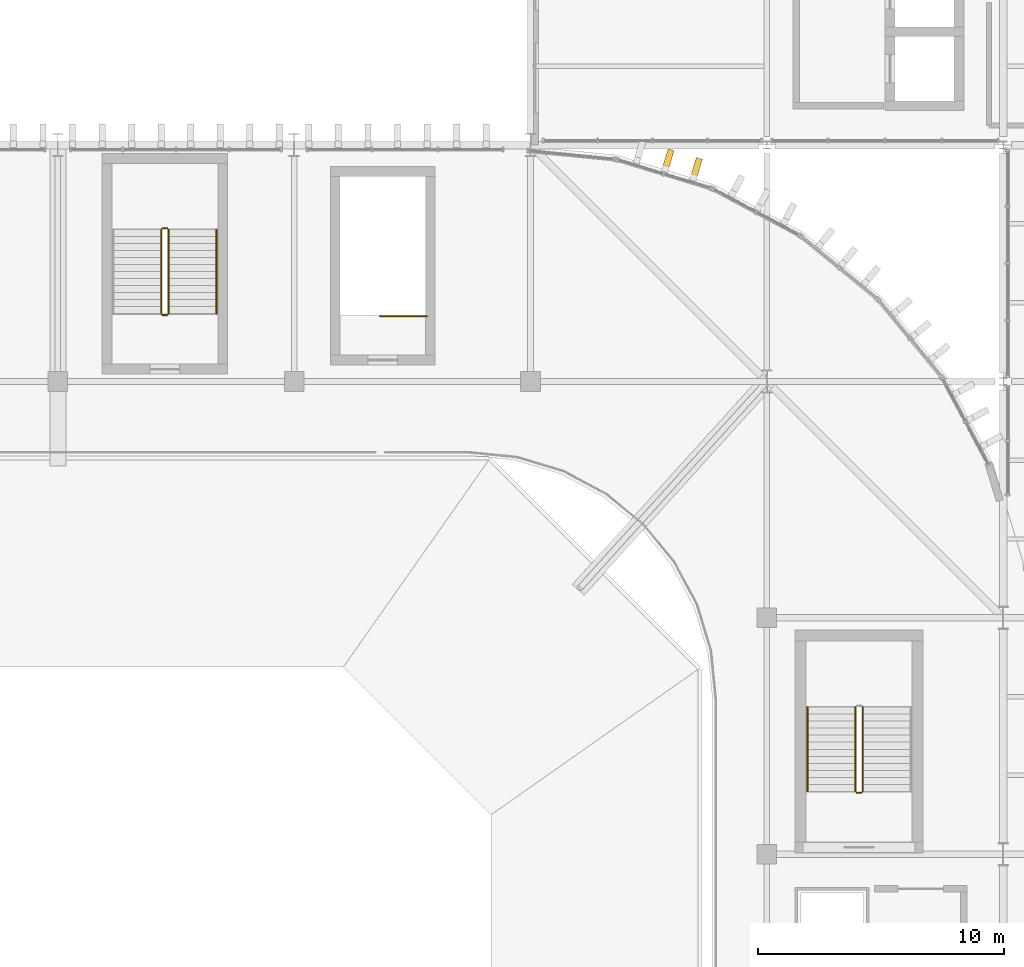
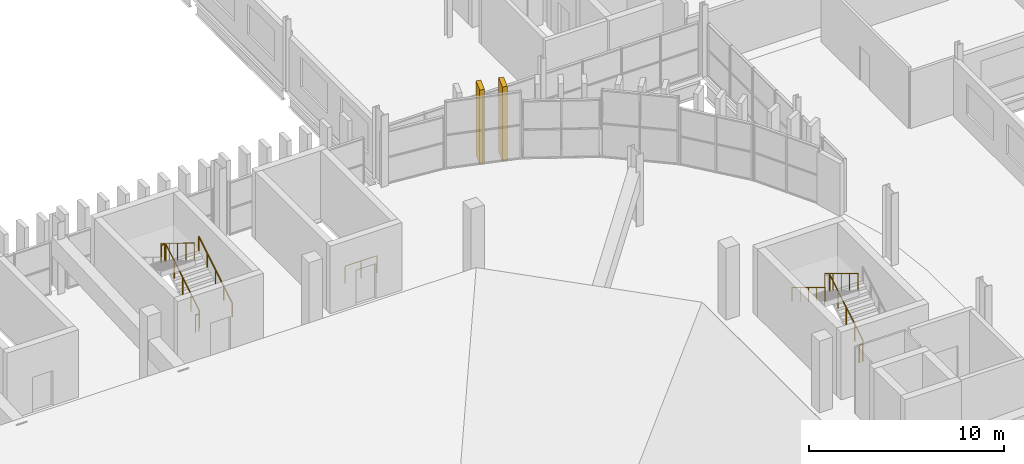
# One storey, part 66 of 69: 10 railings, 2 coverings.
"""IFC4 building model written with IfcOpenShell, lengths in metres."""

from ifc_helpers import new_model, si_unit, direction, frame, origin, origin_2d, place, context, subcontext, project, spatial, rectangle, circle, extrude, material, material_profile, profile_set, type_object, element, save


model = new_model("IFC4")

# Units and contexts
model_context = context("Model", 3, precision=1e-05, world=origin(), true_north=direction((0.0, 1.0)))
body_context = subcontext(model_context, "Body", "Model", "MODEL_VIEW")
ifc_project = project(units=[si_unit("LENGTHUNIT", "METRE"), si_unit("AREAUNIT", "SQUARE_METRE"), si_unit("VOLUMEUNIT", "CUBIC_METRE"), si_unit("PLANEANGLEUNIT", "RADIAN"), si_unit("MASSUNIT", "GRAM", prefix="KILO")], contexts=[model_context])

# Site, building, storey
site_placement = place(None, origin())
site = spatial("IfcSite", under=ifc_project, at=site_placement, CompositionType="ELEMENT")
building_placement = place(site_placement, origin())
building = spatial("IfcBuilding", under=site, at=building_placement, Name="Caelomonte Colonnade Arena", CompositionType="ELEMENT")
storey_placement = place(building_placement, frame((0.0, 0.0, 18.60009765625)))
storey = spatial("IfcBuildingStorey", under=building, at=storey_placement, Name="L04", CompositionType="ELEMENT", Elevation=18.60009765625)

# Coverings
ifc_material_1 = material(Name="Precast travertine cladding", Category="masonry")
ifc_material_profile = material_profile(ifc_material_1, rectangle(XDim=0.260009765625, YDim=0.85009765625, at=origin_2d()), Name="FIN260X850")
ifc_profile_set = profile_set([ifc_material_profile], Name="Precast travertine cladding")
covering_type = type_object("IfcCoveringType", Name="ENV-FN-SHAFT", PredefinedType="CLADDING", material=ifc_profile_set)
for number, where, z_axis, x_axis, name in (
    (1, (150.7373046875, 114.25341796875, -0.16015625), (0.0, 0.0, 1.0), (0.956942868907, -0.290276326364, 0.0), "V1 L04 classical travertine vertical fin 87"),
    (2, (149.5888671875, 114.601806640625, -0.16015625), (0.0, 0.0, 1.0), (0.956942868907, -0.290276326364, 0.0), "V1 L04 classical travertine vertical fin 88"),
):
    element("IfcCovering", number, at=place(storey_placement, frame(where, z_axis=z_axis, x_axis=x_axis)), inside=storey, type_object=covering_type, Name=name, PredefinedType="CLADDING", context=body_context, shape_type="SweptSolid", body=[
        extrude(rectangle(XDim=0.260009765625, YDim=0.85009765625, at=origin_2d()), origin(), (0.0, 0.0, 1.0), 4.66015625),
    ])

# Railings
ifc_material_2 = material(Name="Painted galvanized steel stair guard", Category="steel")
railing_type_1 = type_object("IfcRailingType", Name="INT-RL-GRD", PredefinedType="GUARDRAIL", material=ifc_material_2)
railing_1_placement = place(storey_placement, frame((157.5, 88.949951171875, 0.173095703125)))
element("IfcRailing", 3, at=railing_1_placement, inside=storey, type_object=railing_type_1, Name="L04 ST-03 stair guard 1", PredefinedType="GUARDRAIL", context=body_context, shape_type="SweptSolid", body=[
    extrude(circle(Radius=0.02392578125, at=origin_2d()), frame((0.0, 0.0, 1.076171875), z_axis=(0.0, 0.854745945586, 0.519046595696), x_axis=(-1.0, 0.0, 0.0)), (0.0, 0.0, 1.0), 4.00146484375),
    extrude(circle(Radius=0.02099609375, at=origin_2d()), origin(), (0.0, 0.0, 1.0), 1.048095703125),
    extrude(circle(Radius=0.02099609375, at=origin_2d()), frame((0.0, 0.85498046875, 0.519287109375)), (0.0, 0.0, 1.0), 1.048095703125),
    extrude(circle(Radius=0.02099609375, at=origin_2d()), frame((0.0, 1.7099609375, 1.03857421875)), (0.0, 0.0, 1.0), 1.048095703125),
    extrude(circle(Radius=0.02099609375, at=origin_2d()), frame((0.0, 2.565185546875, 1.5576171875)), (0.0, 0.0, 1.0), 1.048095703125),
    extrude(circle(Radius=0.02099609375, at=origin_2d()), frame((0.0, 3.420166015625, 2.076904296875)), (0.0, 0.0, 1.0), 1.048095703125),
])
railing_2_placement = place(storey_placement, frame((157.199951171875, 92.3701171875, 2.423095703125)))
element("IfcRailing", 4, at=railing_2_placement, inside=storey, type_object=railing_type_1, Name="L04 ST-03 stair guard 3", PredefinedType="GUARDRAIL", context=body_context, shape_type="SweptSolid", body=[
    extrude(circle(Radius=0.02392578125, at=origin_2d()), frame((0.0, 0.0, 1.076171875), z_axis=(0.0, -0.854745945586, 0.519046595696), x_axis=(1.0, 0.0, 0.0)), (0.0, 0.0, 1.0), 4.00146484375),
    extrude(circle(Radius=0.02099609375, at=origin_2d()), origin(), (0.0, 0.0, 1.0), 1.048095703125),
    extrude(circle(Radius=0.02099609375, at=origin_2d()), frame((0.0, -0.85498046875, 0.519287109375)), (0.0, 0.0, 1.0), 1.048095703125),
    extrude(circle(Radius=0.02099609375, at=origin_2d()), frame((0.0, -1.7099609375, 1.03857421875)), (0.0, 0.0, 1.0), 1.048095703125),
    extrude(circle(Radius=0.02099609375, at=origin_2d()), frame((0.0, -2.565185546875, 1.5576171875)), (0.0, 0.0, 1.0), 1.048095703125),
    extrude(circle(Radius=0.02099609375, at=origin_2d()), frame((0.0, -3.420166015625, 2.076904296875)), (0.0, 0.0, 1.0), 1.048095703125),
])
railing_3_placement = place(storey_placement, frame((157.449951171875, 88.89990234375, 0.0)))
element("IfcRailing", 5, at=railing_3_placement, inside=storey, type_object=railing_type_1, Name="L04 ST-03 stair guard 4", PredefinedType="GUARDRAIL", context=body_context, shape_type="SweptSolid", body=[
    extrude(circle(Radius=0.02392578125, at=origin_2d()), frame((0.0, 0.0, 1.076171875), z_axis=(-1.0, 0.0, 0.0), x_axis=(0.0, -1.0, 0.0)), (0.0, 0.0, 1.0), 0.199951171875),
    extrude(circle(Radius=0.02099609375, at=origin_2d()), origin(), (0.0, 0.0, 1.0), 1.048095703125),
    extrude(circle(Radius=0.02099609375, at=origin_2d()), frame((-0.199951171875, 0.0, 0.0)), (0.0, 0.0, 1.0), 1.048095703125),
])
railing_4_placement = place(storey_placement, frame((129.300048828125, 108.35009765625, 0.173095703125)))
element("IfcRailing", 6, at=railing_4_placement, inside=storey, type_object=railing_type_1, Name="L04 ST-16 stair guard 1", PredefinedType="GUARDRAIL", context=body_context, shape_type="SweptSolid", body=[
    extrude(circle(Radius=0.02392578125, at=origin_2d()), frame((0.0, 0.0, 1.076171875), z_axis=(0.0, 0.854729506542, 0.519073665916), x_axis=(-1.0, 0.0, 0.0)), (0.0, 0.0, 1.0), 4.001220703125),
    extrude(circle(Radius=0.02099609375, at=origin_2d()), origin(), (0.0, 0.0, 1.0), 1.048095703125),
    extrude(circle(Radius=0.02099609375, at=origin_2d()), frame((0.0, 0.85498046875, 0.519287109375)), (0.0, 0.0, 1.0), 1.048095703125),
    extrude(circle(Radius=0.02099609375, at=origin_2d()), frame((0.0, 1.7099609375, 1.03857421875)), (0.0, 0.0, 1.0), 1.048095703125),
    extrude(circle(Radius=0.02099609375, at=origin_2d()), frame((0.0, 2.56494140625, 1.5576171875)), (0.0, 0.0, 1.0), 1.048095703125),
    extrude(circle(Radius=0.02099609375, at=origin_2d()), frame((0.0, 3.419921875, 2.076904296875)), (0.0, 0.0, 1.0), 1.048095703125),
])
railing_5_placement = place(storey_placement, frame((129.25, 111.820068359375, 2.25)))
element("IfcRailing", 7, at=railing_5_placement, inside=storey, type_object=railing_type_1, Name="L04 ST-16 stair guard 2", PredefinedType="GUARDRAIL", context=body_context, shape_type="SweptSolid", body=[
    extrude(circle(Radius=0.02392578125, at=origin_2d()), frame((0.0, 0.0, 1.076171875), z_axis=(-1.0, 0.0, 0.0), x_axis=(0.0, -1.0, 0.0)), (0.0, 0.0, 1.0), 0.199951171875),
    extrude(circle(Radius=0.02099609375, at=origin_2d()), origin(), (0.0, 0.0, 1.0), 1.048095703125),
    extrude(circle(Radius=0.02099609375, at=origin_2d()), frame((-0.199951171875, 0.0, 0.0)), (0.0, 0.0, 1.0), 1.048095703125),
])
railing_6_placement = place(storey_placement, frame((129.0, 111.77001953125, 2.423095703125)))
element("IfcRailing", 8, at=railing_6_placement, inside=storey, type_object=railing_type_1, Name="L04 ST-16 stair guard 3", PredefinedType="GUARDRAIL", context=body_context, shape_type="SweptSolid", body=[
    extrude(circle(Radius=0.02392578125, at=origin_2d()), frame((0.0, 0.0, 1.076171875), z_axis=(0.0, -0.854729506542, 0.519073665916), x_axis=(1.0, 0.0, 0.0)), (0.0, 0.0, 1.0), 4.001220703125),
    extrude(circle(Radius=0.02099609375, at=origin_2d()), origin(), (0.0, 0.0, 1.0), 1.048095703125),
    extrude(circle(Radius=0.02099609375, at=origin_2d()), frame((0.0, -0.85498046875, 0.519287109375)), (0.0, 0.0, 1.0), 1.048095703125),
    extrude(circle(Radius=0.02099609375, at=origin_2d()), frame((0.0, -1.7099609375, 1.03857421875)), (0.0, 0.0, 1.0), 1.048095703125),
    extrude(circle(Radius=0.02099609375, at=origin_2d()), frame((0.0, -2.56494140625, 1.5576171875)), (0.0, 0.0, 1.0), 1.048095703125),
    extrude(circle(Radius=0.02099609375, at=origin_2d()), frame((0.0, -3.419921875, 2.076904296875)), (0.0, 0.0, 1.0), 1.048095703125),
])
railing_7_placement = place(storey_placement, frame((129.25, 108.300048828125, 0.0)))
element("IfcRailing", 9, at=railing_7_placement, inside=storey, type_object=railing_type_1, Name="L04 ST-16 stair guard 4", PredefinedType="GUARDRAIL", context=body_context, shape_type="SweptSolid", body=[
    extrude(circle(Radius=0.02392578125, at=origin_2d()), frame((0.0, 0.0, 1.076171875), z_axis=(-1.0, 0.0, 0.0), x_axis=(0.0, -1.0, 0.0)), (0.0, 0.0, 1.0), 0.199951171875),
    extrude(circle(Radius=0.02099609375, at=origin_2d()), origin(), (0.0, 0.0, 1.0), 1.048095703125),
    extrude(circle(Radius=0.02099609375, at=origin_2d()), frame((-0.199951171875, 0.0, 0.0)), (0.0, 0.0, 1.0), 1.048095703125),
])
railing_8_placement = place(storey_placement, frame((139.800048828125, 108.25, 0.0)))
element("IfcRailing", 10, at=railing_8_placement, inside=storey, type_object=railing_type_1, Name="L04 ST-V16 top well guard 1", PredefinedType="GUARDRAIL", context=body_context, shape_type="SweptSolid", body=[
    extrude(circle(Radius=0.02392578125, at=origin_2d()), frame((0.0, 0.0, 1.076171875), z_axis=(-1.0, 0.0, 0.0), x_axis=(0.0, -1.0, 0.0)), (0.0, 0.0, 1.0), 1.900146484375),
    extrude(circle(Radius=0.02099609375, at=origin_2d()), origin(), (0.0, 0.0, 1.0), 1.048095703125),
    extrude(circle(Radius=0.02099609375, at=origin_2d()), frame((-0.9501953125, 0.0, 0.0)), (0.0, 0.0, 1.0), 1.048095703125),
    extrude(circle(Radius=0.02099609375, at=origin_2d()), frame((-1.900146484375, 0.0, 0.0)), (0.0, 0.0, 1.0), 1.048095703125),
])
ifc_material_3 = material(Name="Brushed stainless steel stair handrail", Category="steel")
railing_type_2 = type_object("IfcRailingType", Name="INT-RL-HR", PredefinedType="HANDRAIL", material=ifc_material_3)
railing_9_placement = place(storey_placement, frame((155.25, 92.3701171875, 2.423095703125)))
element("IfcRailing", 11, at=railing_9_placement, inside=storey, type_object=railing_type_2, Name="L04 ST-03 stair handrail 2", PredefinedType="HANDRAIL", context=body_context, shape_type="SweptSolid", body=[
    extrude(circle(Radius=0.02392578125, at=origin_2d()), frame((0.0, 0.0, 0.8759765625), z_axis=(0.0, -0.854745945586, 0.519046595696), x_axis=(1.0, 0.0, 0.0)), (0.0, 0.0, 1.0), 4.00146484375),
    extrude(circle(Radius=0.02099609375, at=origin_2d()), origin(), (0.0, 0.0, 1.0), 0.847900390625),
    extrude(circle(Radius=0.02099609375, at=origin_2d()), frame((0.0, -0.85498046875, 0.519287109375)), (0.0, 0.0, 1.0), 0.847900390625),
    extrude(circle(Radius=0.02099609375, at=origin_2d()), frame((0.0, -1.7099609375, 1.03857421875)), (0.0, 0.0, 1.0), 0.847900390625),
    extrude(circle(Radius=0.02099609375, at=origin_2d()), frame((0.0, -2.565185546875, 1.5576171875)), (0.0, 0.0, 1.0), 0.847900390625),
    extrude(circle(Radius=0.02099609375, at=origin_2d()), frame((0.0, -3.420166015625, 2.076904296875)), (0.0, 0.0, 1.0), 0.847900390625),
])
railing_10_placement = place(storey_placement, frame((131.25, 108.35009765625, 0.173095703125)))
element("IfcRailing", 12, at=railing_10_placement, inside=storey, type_object=railing_type_2, Name="L04 ST-16 stair handrail 1", PredefinedType="HANDRAIL", context=body_context, shape_type="SweptSolid", body=[
    extrude(circle(Radius=0.02392578125, at=origin_2d()), frame((0.0, 0.0, 0.8759765625), z_axis=(0.0, 0.854729506542, 0.519073665916), x_axis=(-1.0, 0.0, 0.0)), (0.0, 0.0, 1.0), 4.001220703125),
    extrude(circle(Radius=0.02099609375, at=origin_2d()), origin(), (0.0, 0.0, 1.0), 0.847900390625),
    extrude(circle(Radius=0.02099609375, at=origin_2d()), frame((0.0, 0.85498046875, 0.519287109375)), (0.0, 0.0, 1.0), 0.847900390625),
    extrude(circle(Radius=0.02099609375, at=origin_2d()), frame((0.0, 1.7099609375, 1.03857421875)), (0.0, 0.0, 1.0), 0.847900390625),
    extrude(circle(Radius=0.02099609375, at=origin_2d()), frame((0.0, 2.56494140625, 1.5576171875)), (0.0, 0.0, 1.0), 0.847900390625),
    extrude(circle(Radius=0.02099609375, at=origin_2d()), frame((0.0, 3.419921875, 2.076904296875)), (0.0, 0.0, 1.0), 0.847900390625),
])

save(model, "model.ifc")
